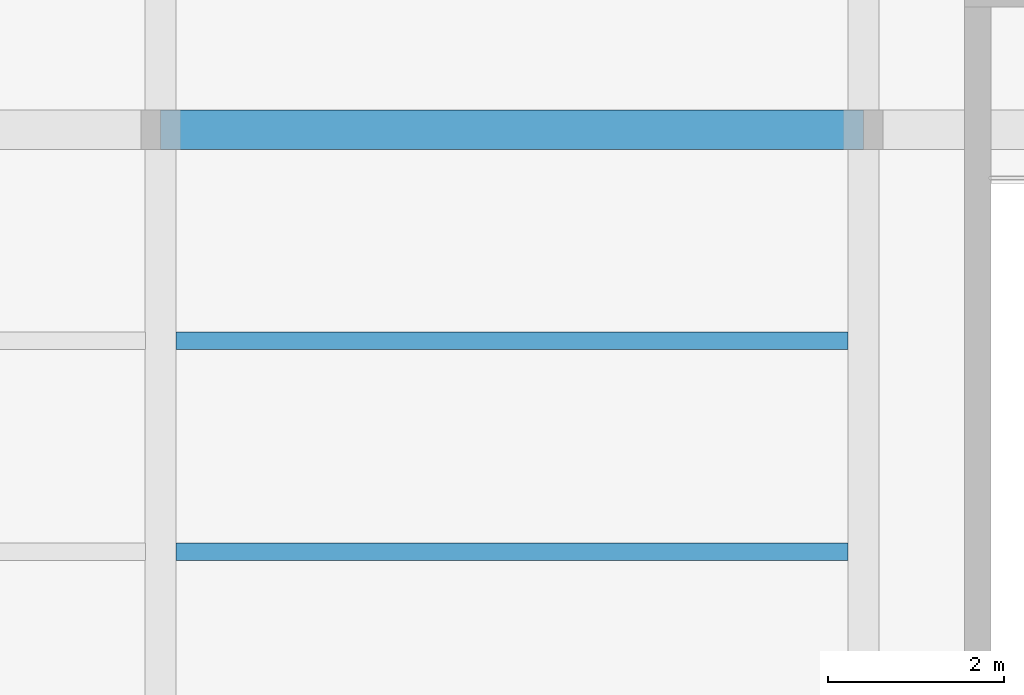
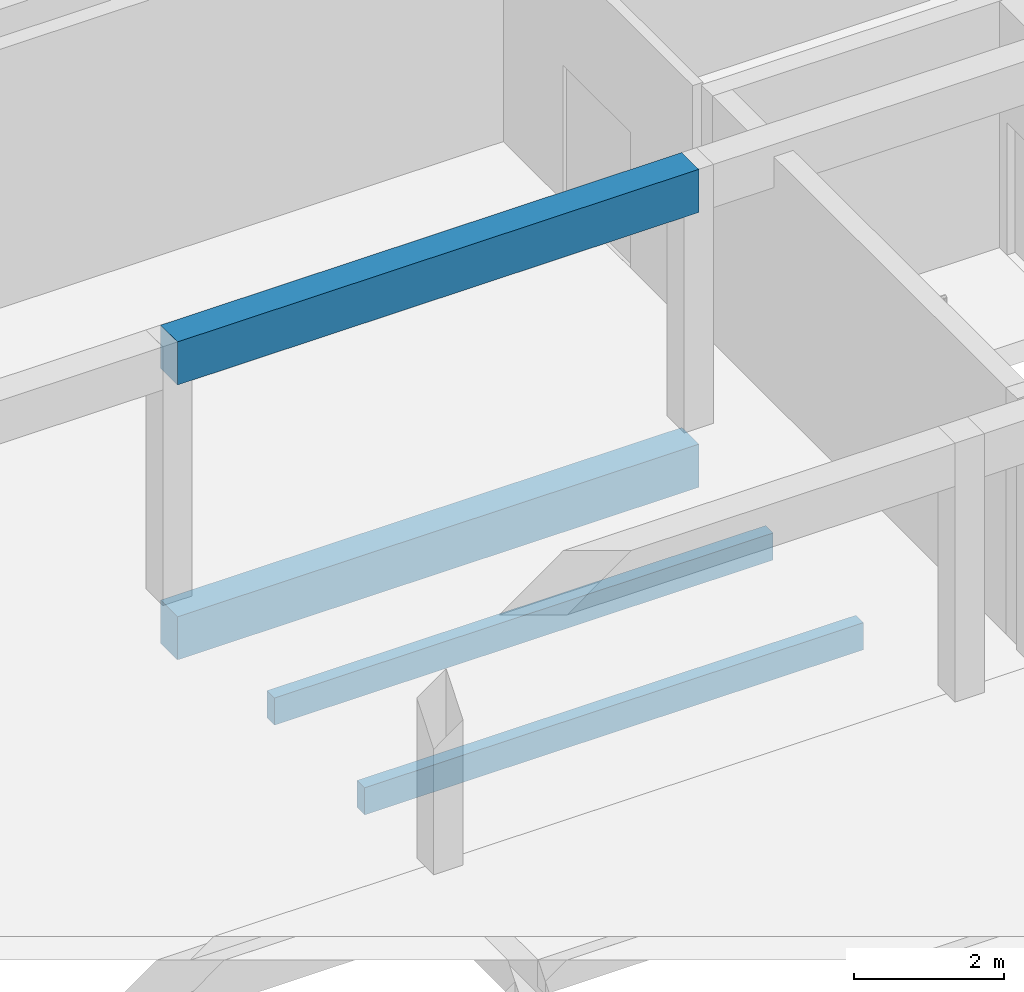
# One storey, part 26 of 107: 4 beams.
"""IFC4 building model written with IfcOpenShell, lengths in metres."""

from ifc_helpers import new_model, si_unit, direction, frame, origin, origin_2d, place, context, subcontext, project, spatial, rectangle, extrude, material, material_profile, profile_set, type_object, element, save


model = new_model("IFC4")

# Units and contexts
model_context = context("Model", 3, precision=1e-05, world=origin(), true_north=direction((0.0, 1.0)))
body_context = subcontext(model_context, "Body", "Model", "MODEL_VIEW")
ifc_project = project(units=[si_unit("LENGTHUNIT", "METRE"), si_unit("AREAUNIT", "SQUARE_METRE"), si_unit("VOLUMEUNIT", "CUBIC_METRE"), si_unit("PLANEANGLEUNIT", "RADIAN"), si_unit("MASSUNIT", "GRAM", prefix="KILO")], contexts=[model_context])

# Site, building, storey
site_placement = place(None, origin())
site = spatial("IfcSite", under=ifc_project, at=site_placement, CompositionType="ELEMENT")
building_placement = place(site_placement, origin())
building = spatial("IfcBuilding", under=site, at=building_placement, Name="Chiffa Square Polytechnic", CompositionType="ELEMENT")
storey_placement = place(building_placement, frame((0.0, 0.0, 13.800048828125)))
storey = spatial("IfcBuildingStorey", under=building, at=storey_placement, Name="L03", CompositionType="ELEMENT", Elevation=13.800048828125)

# Beams
ifc_material_1 = material(Name="Concrete C35/45", Category="concrete")
ifc_material_profile_1 = material_profile(ifc_material_1, rectangle(XDim=0.449951171875, YDim=0.699951171875, at=origin_2d()), Name="RC 450x700")
ifc_profile_set_1 = profile_set([ifc_material_profile_1], Name="Concrete C35/45")
beam_type_1 = type_object("IfcBeamType", Name="BM-RC-450X700", PredefinedType="BEAM", material=ifc_profile_set_1)
for number, where, z_axis, x_axis, name in (
    (1, (8.0, 87.0, -0.610107421875), (1.0, 0.0, 0.0), (0.0, 1.0, 0.0), "Primary floor girder BM-V6-L03-X-0080-0870"),
    (2, (8.0, 87.0, 3.849853515625), (1.0, 0.0, 0.0), (0.0, 1.0, 0.0), "Sawtooth monitor sill beam BM-V6-SAWTIE-Y7-2"),
):
    element("IfcBeam", number, at=place(storey_placement, frame(where, z_axis=z_axis, x_axis=x_axis)), inside=storey, type_object=beam_type_1, Name=name, PredefinedType="BEAM", context=body_context, shape_type="SweptSolid", body=[
        extrude(rectangle(XDim=0.449951171875, YDim=0.699951171875, at=origin_2d()), origin(), (0.0, 0.0, 1.0), 8.0),
    ])
ifc_material_2 = material(Name="Glulam GL28h", Category="wood")
ifc_material_profile_2 = material_profile(ifc_material_2, rectangle(XDim=0.199951171875, YDim=0.43994140625, at=origin_2d()), Name="GL28h 200x440")
ifc_profile_set_2 = profile_set([ifc_material_profile_2], Name="Glulam GL28h")
beam_type_2 = type_object("IfcBeamType", Name="JST-GL-200X440", PredefinedType="JOIST", material=ifc_profile_set_2)
for number, where, z_axis, x_axis, name in (
    (3, (8.173095703125, 82.199951171875, -0.47998046875), (1.0, 0.0, 0.0), (0.0, 1.0, 0.0), "Secondary floor joist JST-V6-L03-0080-0822"),
    (4, (8.173095703125, 84.60009765625, -0.47998046875), (1.0, 0.0, 0.0), (0.0, 1.0, 0.0), "Secondary floor joist JST-V6-L03-0080-0846"),
):
    element("IfcBeam", number, at=place(storey_placement, frame(where, z_axis=z_axis, x_axis=x_axis)), inside=storey, type_object=beam_type_2, Name=name, PredefinedType="JOIST", context=body_context, shape_type="SweptSolid", body=[
        extrude(rectangle(XDim=0.199951171875, YDim=0.43994140625, at=origin_2d()), origin(), (0.0, 0.0, 1.0), 7.65380859375),
    ])

save(model, "model.ifc")
